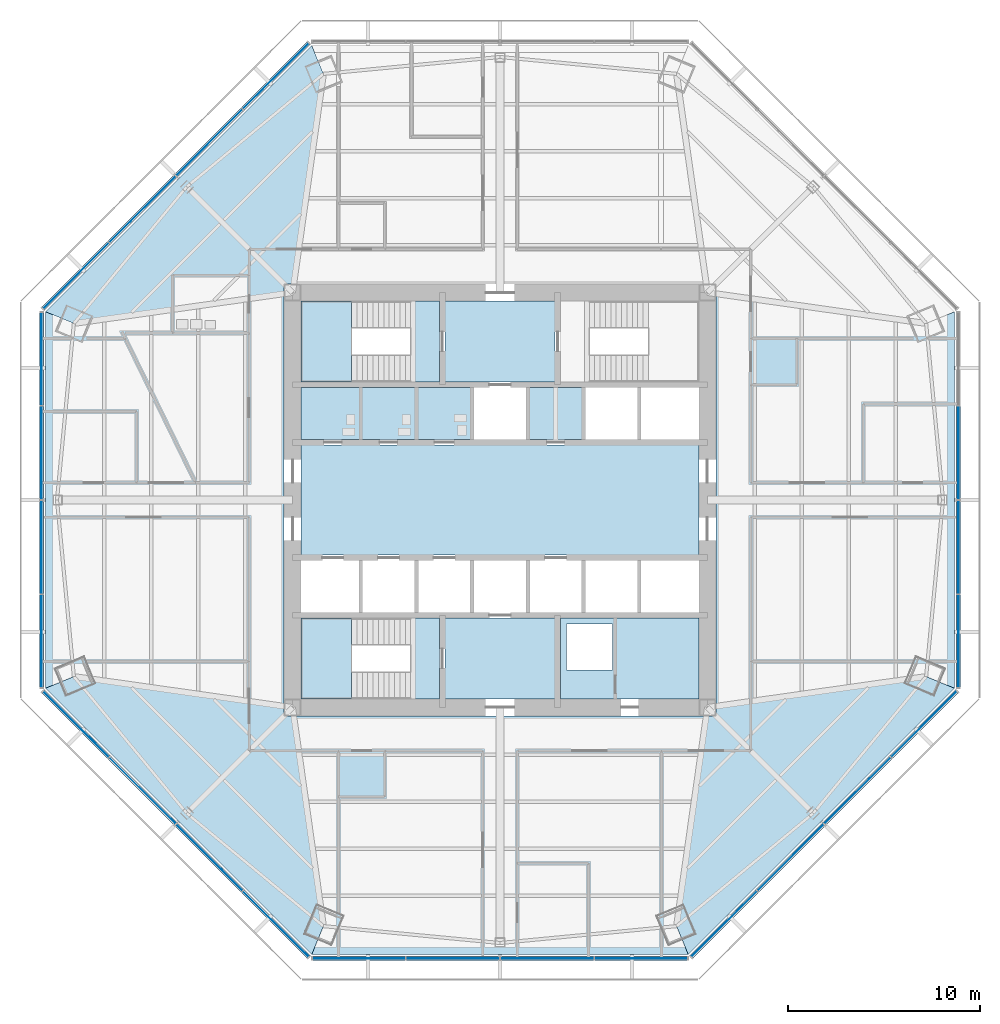
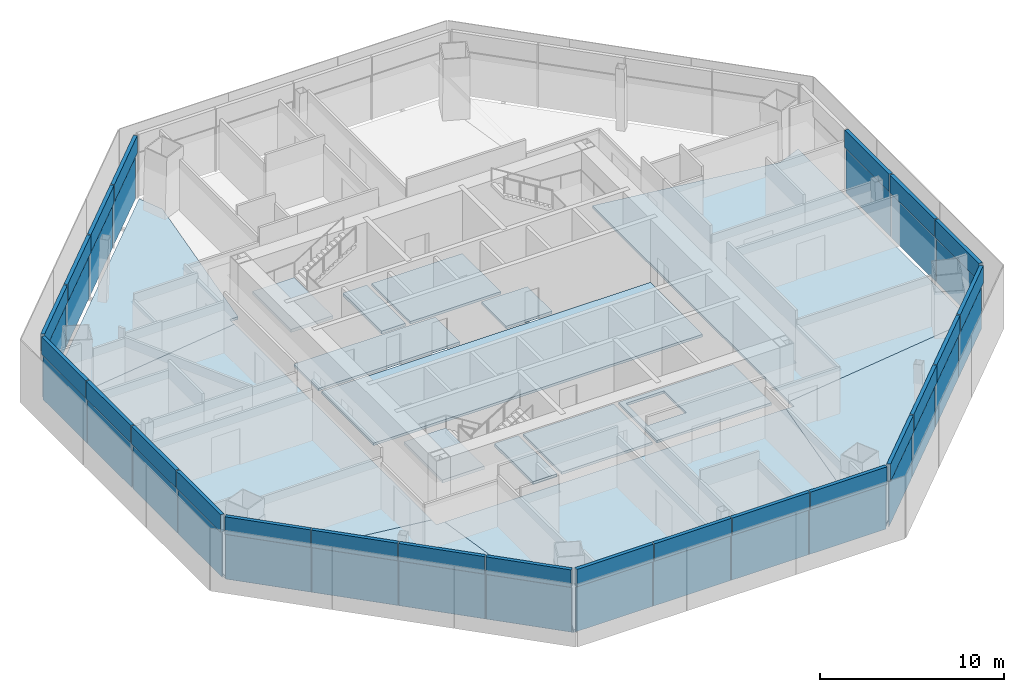
# One storey, part 7 of 14: 46 plates, 16 slabs, 8 elements without a shape of their own.
"""IFC4 building model written with IfcOpenShell, lengths in metres."""

from ifc_helpers import new_model, si_unit, direction, frame, origin, origin_2d, place, context, subcontext, project, spatial, polyline, rectangle, outline, extrude, source, transform, mapped, material, layer, layer_set, type_object, type_shapes, element, aggregate, save


model = new_model("IFC4")

# Units and contexts
model_context = context("Model", 3, precision=1e-05, world=origin(), true_north=direction((0.0, 1.0)))
body_context = subcontext(model_context, "Body", "Model", "MODEL_VIEW")
ifc_project = project(units=[si_unit("LENGTHUNIT", "METRE"), si_unit("AREAUNIT", "SQUARE_METRE"), si_unit("VOLUMEUNIT", "CUBIC_METRE"), si_unit("PLANEANGLEUNIT", "RADIAN"), si_unit("MASSUNIT", "GRAM", prefix="KILO")], contexts=[model_context])

# Site, building, storey
site_placement = place(None, origin())
site = spatial("IfcSite", under=ifc_project, at=site_placement, CompositionType="ELEMENT")
building_placement = place(site_placement, origin())
building = spatial("IfcBuilding", under=site, at=building_placement, Name="Mashrafa Tower", CompositionType="ELEMENT")
storey_placement = place(building_placement, frame((0.0, 0.0, 147.0)))
storey = spatial("IfcBuildingStorey", under=building, at=storey_placement, Name="L33", CompositionType="ELEMENT", Elevation=147.0)

# Slabs
ifc_material_1 = material(Name="Concrete C35/45", Category="concrete")
ifc_layer_1 = layer(ifc_material_1, 0.1650390625)
ifc_layer_set_1 = layer_set([ifc_layer_1], Name="Floor slab 165")
slab_type_1 = type_object("IfcSlabType", Name="Floor slab 165", PredefinedType="FLOOR", material=ifc_layer_set_1)
slab_1_placement = place(storey_placement, frame((0.0, 0.0, -0.1650390625)))
element("IfcSlab", 1, at=slab_1_placement, inside=storey, type_object=slab_type_1, Name="Floor slab L33 east bay", PredefinedType="FLOOR", context=body_context, shape_type="SweptSolid", body=[
    extrude(outline(polyline([(23.65625, -9.798828125), (22.182861328125, -9.1884765625), (11.25, -10.736328125), (11.25, 10.736328125), (22.182861328125, 9.1884765625), (23.65625, 9.798828125), (23.65625, -9.798828125)])), origin(), (0.0, 0.0, 1.0), 0.1650390625),
])
slab_2_placement = place(storey_placement, frame((0.0, 0.0, -0.1650390625)))
element("IfcSlab", 2, at=slab_2_placement, inside=storey, type_object=slab_type_1, Name="Floor slab L33 north-west bay", PredefinedType="FLOOR", context=body_context, shape_type="SweptSolid", body=[
    extrude(outline(polyline([(-23.65625, 9.798828125), (-9.798828125, 23.65625), (-9.798828125, 23.65625), (-9.1884765625, 22.182861328125), (-10.736328125, 11.25), (-11.25, 11.25), (-11.25, 10.736328125), (-22.182861328125, 9.1884765625), (-23.65625, 9.798828125), (-23.65625, 9.798828125)])), origin(), (0.0, 0.0, 1.0), 0.1650390625),
])
slab_3_placement = place(storey_placement, frame((0.0, 0.0, -0.1650390625)))
element("IfcSlab", 3, at=slab_3_placement, inside=storey, type_object=slab_type_1, Name="Floor slab L33 west bay", PredefinedType="FLOOR", context=body_context, shape_type="SweptSolid", body=[
    extrude(outline(polyline([(-23.65625, 9.798828125), (-22.182861328125, 9.1884765625), (-11.25, 10.736328125), (-11.25, -10.736328125), (-22.182861328125, -9.1884765625), (-23.65625, -9.798828125), (-23.65625, 9.798828125)])), origin(), (0.0, 0.0, 1.0), 0.1650390625),
])
slab_4_placement = place(storey_placement, frame((0.0, 0.0, -0.1650390625)))
element("IfcSlab", 4, at=slab_4_placement, inside=storey, type_object=slab_type_1, Name="Floor slab L33 south-west bay", PredefinedType="FLOOR", context=body_context, shape_type="SweptSolid", body=[
    extrude(outline(polyline([(-9.798828125, -23.65625), (-23.65625, -9.798828125), (-23.65625, -9.798828125), (-22.182861328125, -9.1884765625), (-11.25, -10.736328125), (-11.25, -11.25), (-10.736328125, -11.25), (-9.1884765625, -22.182861328125), (-9.798828125, -23.65625), (-9.798828125, -23.65625)])), origin(), (0.0, 0.0, 1.0), 0.1650390625),
])
slab_5_placement = place(storey_placement, frame((0.0, 0.0, -0.1650390625)))
element("IfcSlab", 5, at=slab_5_placement, inside=storey, type_object=slab_type_1, Name="Floor slab L33 south bay", PredefinedType="FLOOR", context=body_context, shape_type="SweptSolid", body=[
    extrude(outline(polyline([(-9.798828125, -23.65625), (-9.1884765625, -22.182861328125), (-10.736328125, -11.25), (10.736328125, -11.25), (9.1884765625, -22.182861328125), (9.798828125, -23.65625), (-9.798828125, -23.65625)])), origin(), (0.0, 0.0, 1.0), 0.1650390625),
])
slab_6_placement = place(storey_placement, frame((0.0, 0.0, -0.1650390625)))
element("IfcSlab", 6, at=slab_6_placement, inside=storey, type_object=slab_type_1, Name="Floor slab L33 south-east bay", PredefinedType="FLOOR", context=body_context, shape_type="SweptSolid", body=[
    extrude(outline(polyline([(9.798828125, -23.65625), (9.1884765625, -22.182861328125), (10.736328125, -11.25), (11.25, -11.25), (11.25, -10.736328125), (22.182861328125, -9.1884765625), (23.65625, -9.798828125), (23.65625, -9.798828125), (9.798828125, -23.65625), (9.798828125, -23.65625)])), origin(), (0.0, 0.0, 1.0), 0.1650390625),
])
slab_7_placement = place(storey_placement, frame((0.0, 0.0, -0.1650390625)))
element("IfcSlab", 7, at=slab_7_placement, inside=storey, type_object=slab_type_1, Name="Core floor lift hall L33", PredefinedType="FLOOR", context=body_context, shape_type="SweptSolid", body=[
    extrude(outline(polyline([(-10.35009765625, 2.85009765625), (10.35009765625, 2.85009765625), (10.35009765625, -2.85009765625), (-10.35009765625, -2.85009765625), (-10.35009765625, 2.85009765625)])), origin(), (0.0, 0.0, 1.0), 0.1650390625),
])
slab_8_placement = place(storey_placement, frame((0.0, 0.0, -0.1650390625)))
element("IfcSlab", 8, at=slab_8_placement, inside=storey, type_object=slab_type_1, Name="Core floor riser and electrical band L33", PredefinedType="FLOOR", context=body_context, shape_type="SweptSolid", body=[
    extrude(outline(polyline([(10.35009765625, -6.14990234375), (10.35009765625, -10.35009765625), (3.14990234375, -10.35009765625), (3.14990234375, -6.14990234375), (10.35009765625, -6.14990234375)]), holes=[polyline([(3.449951171875, -8.85009765625), (5.85009765625, -8.85009765625), (5.85009765625, -6.449951171875), (3.449951171875, -6.449951171875), (3.449951171875, -8.85009765625)])]), origin(), (0.0, 0.0, 1.0), 0.1650390625),
])
slab_9_placement = place(storey_placement, frame((0.0, 0.0, -0.1650390625)))
element("IfcSlab", 9, at=slab_9_placement, inside=storey, type_object=slab_type_1, Name="Core floor lift cell L33", PredefinedType="FLOOR", context=body_context, shape_type="SweptSolid", body=[
    extrude(outline(polyline([(-1.449951171875, 3.14990234375), (-10.35009765625, 3.14990234375), (-10.35009765625, 5.85009765625), (-1.449951171875, 5.85009765625), (-1.449951171875, 3.14990234375)])), origin(), (0.0, 0.0, 1.0), 0.1650390625),
])
slab_10_placement = place(storey_placement, frame((0.0, 0.0, -0.1650390625)))
element("IfcSlab", 10, at=slab_10_placement, inside=storey, type_object=slab_type_1, Name="Core floor fire-fighting lobby north L33", PredefinedType="FLOOR", context=body_context, shape_type="SweptSolid", body=[
    extrude(outline(polyline([(-2.85009765625, 10.35009765625), (2.85009765625, 10.35009765625), (2.85009765625, 6.14990234375), (-2.85009765625, 6.14990234375), (-2.85009765625, 10.35009765625)])), origin(), (0.0, 0.0, 1.0), 0.1650390625),
])
slab_11_placement = place(storey_placement, frame((0.0, 0.0, -0.1650390625)))
element("IfcSlab", 11, at=slab_11_placement, inside=storey, type_object=slab_type_1, Name="Core floor fire-fighting lobby south L33", PredefinedType="FLOOR", context=body_context, shape_type="SweptSolid", body=[
    extrude(outline(polyline([(2.85009765625, -6.14990234375), (2.85009765625, -10.35009765625), (-2.85009765625, -10.35009765625), (-2.85009765625, -6.14990234375), (2.85009765625, -6.14990234375)])), origin(), (0.0, 0.0, 1.0), 0.1650390625),
])
slab_12_placement = place(storey_placement, frame((0.0, 0.0, -0.1650390625)))
element("IfcSlab", 12, at=slab_12_placement, inside=storey, type_object=slab_type_1, Name="Core floor lift cell L33", PredefinedType="FLOOR", context=body_context, shape_type="SweptSolid", body=[
    extrude(outline(polyline([(4.35009765625, 5.85009765625), (4.35009765625, 3.14990234375), (1.449951171875, 3.14990234375), (1.449951171875, 5.85009765625), (4.35009765625, 5.85009765625)])), origin(), (0.0, 0.0, 1.0), 0.1650390625),
])

# Stair, slabs
ifc_material_2 = material(Name="Exit stair 1400")
stair_type = type_object("IfcStairType", Name="Exit stair 1400", PredefinedType="HALF_TURN_STAIR", material=ifc_material_2)
stair_1_placement = place(storey_placement, origin())
stair_1 = element("IfcStair", 13, at=stair_1_placement, inside=storey, type_object=stair_type, Name="Stair S1 L33", PredefinedType="HALF_TURN_STAIR")
ifc_material_3 = material(Name="Concrete C32/40", Category="concrete")
ifc_layer_2 = layer(ifc_material_3, 0.199951171875)
ifc_layer_set_2 = layer_set([ifc_layer_2], Name="Stair landing 200")
slab_type_2 = type_object("IfcSlabType", Name="Stair landing 200", PredefinedType="LANDING", material=ifc_layer_set_2)
slab_13_placement = place(storey_placement, frame((0.0, 0.0, -0.199951171875)))
slab_13 = element("IfcSlab", 14, at=slab_13_placement, type_object=slab_type_2, Name="S1 landing 1", PredefinedType="LANDING", context=body_context, shape_type="SweptSolid", body=[
    extrude(outline(polyline([(-4.659912109375, 6.14990234375), (-3.14990234375, 6.14990234375), (-3.14990234375, 10.35009765625), (-4.659912109375, 10.35009765625), (-4.659912109375, 6.14990234375)])), origin(), (0.0, 0.0, 1.0), 0.199951171875),
])
slab_14_placement = place(storey_placement, frame((0.0, 0.0, 1.89990234375)))
slab_14 = element("IfcSlab", 15, at=slab_14_placement, type_object=slab_type_2, Name="S1 landing 2", PredefinedType="LANDING", context=body_context, shape_type="SweptSolid", body=[
    extrude(outline(polyline([(-10.35009765625, 6.14990234375), (-7.719970703125, 6.14990234375), (-7.719970703125, 10.35009765625), (-10.35009765625, 10.35009765625), (-10.35009765625, 6.14990234375)])), origin(), (0.0, 0.0, 1.0), 0.2001953125),
])
aggregate(stair_1, [slab_13, slab_14])

stair_2_placement = place(storey_placement, origin())
stair_2 = element("IfcStair", 16, at=stair_2_placement, inside=storey, type_object=stair_type, Name="Stair S3 L33", PredefinedType="HALF_TURN_STAIR")
slab_15_placement = place(storey_placement, frame((0.0, 0.0, -0.199951171875)))
slab_15 = element("IfcSlab", 17, at=slab_15_placement, type_object=slab_type_2, Name="S3 landing 1", PredefinedType="LANDING", context=body_context, shape_type="SweptSolid", body=[
    extrude(outline(polyline([(-4.659912109375, -10.35009765625), (-3.14990234375, -10.35009765625), (-3.14990234375, -6.14990234375), (-4.659912109375, -6.14990234375), (-4.659912109375, -10.35009765625)])), origin(), (0.0, 0.0, 1.0), 0.199951171875),
])
slab_16_placement = place(storey_placement, frame((0.0, 0.0, 1.89990234375)))
slab_16 = element("IfcSlab", 18, at=slab_16_placement, type_object=slab_type_2, Name="S3 landing 2", PredefinedType="LANDING", context=body_context, shape_type="SweptSolid", body=[
    extrude(outline(polyline([(-10.35009765625, -10.35009765625), (-7.719970703125, -10.35009765625), (-7.719970703125, -6.14990234375), (-10.35009765625, -6.14990234375), (-10.35009765625, -10.35009765625)])), origin(), (0.0, 0.0, 1.0), 0.2001953125),
])
aggregate(stair_2, [slab_15, slab_16])

# Curtain wall, plate
ifc_material_4 = material(Name="Unitised aluminium curtain wall", Category="aluminium")
curtain_wall_type = type_object("IfcCurtainWallType", Name="Office curtain wall, zone 2 CW-B 225 deep", PredefinedType="NOTDEFINED", material=ifc_material_4)
curtain_wall_1_placement = place(storey_placement, origin())
curtain_wall_1 = element("IfcCurtainWall", 19, at=curtain_wall_1_placement, inside=storey, type_object=curtain_wall_type, Name="Office curtain wall, zone 2 L33 east", PredefinedType="NOTDEFINED")
ifc_material_5 = material(Name="Insulated double glazing, low-e, neutral", Category="glass")
ifc_layer_3 = layer(ifc_material_5, 0.028076171875)
ifc_layer_set_3 = layer_set([ifc_layer_3], Name="Vision panel CW-B 28")
plate_type_1 = type_object("IfcPlateType", Name="Vision panel CW-B 28", PredefinedType="CURTAIN_PANEL", material=ifc_layer_set_3)
shared_shape_1 = source(origin(), body_context, "Body", "SweptSolid", [
    extrude(rectangle(XDim=4.81494140625, YDim=0.028076171875, at=origin_2d()), origin(), (0.0, 0.0, 1.0), 2.9599609375),
])
plate_1_placement = place(storey_placement, frame((23.856201171875, -7.3525390625, 0.0), z_axis=(0.0, 0.0, 1.0), x_axis=(0.0, 1.0, 0.0)))
plate_1 = element("IfcPlate", 20, at=plate_1_placement, type_object=plate_type_1, Name="CW-B vision panel 1", PredefinedType="CURTAIN_PANEL", context=body_context, shape_type="MappedRepresentation", body=[
    mapped(shared_shape_1, transform((0.0, 0.0, 0.0))),
])

# Curtain wall, plates
curtain_wall_2_placement = place(storey_placement, origin())
curtain_wall_2 = element("IfcCurtainWall", 21, at=curtain_wall_2_placement, inside=storey, type_object=curtain_wall_type, Name="Office curtain wall, zone 2 L33 north-west", PredefinedType="NOTDEFINED")
plate_2_placement = place(storey_placement, frame((-11.669921875, 22.06787109375, 0.0), z_axis=(0.0, 0.0, 1.0), x_axis=(-0.707106781187, -0.707106781187, 0.0)))
plate_2 = element("IfcPlate", 22, at=plate_2_placement, type_object=plate_type_1, Name="CW-B vision panel 1", PredefinedType="CURTAIN_PANEL", context=body_context, shape_type="MappedRepresentation", body=[
    mapped(shared_shape_1, transform((0.0, 0.0, 0.0))),
])
plate_3_placement = place(storey_placement, frame((-22.06787109375, 11.669921875, 0.0), z_axis=(0.0, 0.0, 1.0), x_axis=(-0.707106781187, -0.707106781187, 0.0)))
plate_3 = element("IfcPlate", 23, at=plate_3_placement, type_object=plate_type_1, Name="CW-B vision panel 4", PredefinedType="CURTAIN_PANEL", context=body_context, shape_type="MappedRepresentation", body=[
    mapped(shared_shape_1, transform((0.0, 0.0, 0.0))),
])

curtain_wall_3_placement = place(storey_placement, origin())
curtain_wall_3 = element("IfcCurtainWall", 24, at=curtain_wall_3_placement, inside=storey, type_object=curtain_wall_type, Name="Office curtain wall, zone 2 L33 west", PredefinedType="NOTDEFINED")
plate_4_placement = place(storey_placement, frame((-23.856201171875, 7.3525390625, 0.0), z_axis=(0.0, 0.0, 1.0), x_axis=(0.0, -1.0, 0.0)))
plate_4 = element("IfcPlate", 25, at=plate_4_placement, type_object=plate_type_1, Name="CW-B vision panel 1", PredefinedType="CURTAIN_PANEL", context=body_context, shape_type="MappedRepresentation", body=[
    mapped(shared_shape_1, transform((0.0, 0.0, 0.0))),
])
plate_5_placement = place(storey_placement, frame((-23.856201171875, -7.3525390625, 0.0), z_axis=(0.0, 0.0, 1.0), x_axis=(0.0, -1.0, 0.0)))
plate_5 = element("IfcPlate", 26, at=plate_5_placement, type_object=plate_type_1, Name="CW-B vision panel 4", PredefinedType="CURTAIN_PANEL", context=body_context, shape_type="MappedRepresentation", body=[
    mapped(shared_shape_1, transform((0.0, 0.0, 0.0))),
])

curtain_wall_4_placement = place(storey_placement, origin())
curtain_wall_4 = element("IfcCurtainWall", 27, at=curtain_wall_4_placement, inside=storey, type_object=curtain_wall_type, Name="Office curtain wall, zone 2 L33 south-west", PredefinedType="NOTDEFINED")
plate_6_placement = place(storey_placement, frame((-22.06787109375, -11.669921875, 0.0), z_axis=(0.0, 0.0, 1.0), x_axis=(0.707106781187, -0.707106781187, 0.0)))
plate_6 = element("IfcPlate", 28, at=plate_6_placement, type_object=plate_type_1, Name="CW-B vision panel 1", PredefinedType="CURTAIN_PANEL", context=body_context, shape_type="MappedRepresentation", body=[
    mapped(shared_shape_1, transform((0.0, 0.0, 0.0))),
])
plate_7_placement = place(storey_placement, frame((-11.669921875, -22.06787109375, 0.0), z_axis=(0.0, 0.0, 1.0), x_axis=(0.707106781187, -0.707106781187, 0.0)))
plate_7 = element("IfcPlate", 29, at=plate_7_placement, type_object=plate_type_1, Name="CW-B vision panel 4", PredefinedType="CURTAIN_PANEL", context=body_context, shape_type="MappedRepresentation", body=[
    mapped(shared_shape_1, transform((0.0, 0.0, 0.0))),
])

curtain_wall_5_placement = place(storey_placement, origin())
curtain_wall_5 = element("IfcCurtainWall", 30, at=curtain_wall_5_placement, inside=storey, type_object=curtain_wall_type, Name="Office curtain wall, zone 2 L33 south", PredefinedType="NOTDEFINED")
plate_8_placement = place(storey_placement, frame((-7.3525390625, -23.856201171875, 0.0), z_axis=(0.0, 0.0, 1.0), x_axis=(1.0, 0.0, 0.0)))
plate_8 = element("IfcPlate", 31, at=plate_8_placement, type_object=plate_type_1, Name="CW-B vision panel 1", PredefinedType="CURTAIN_PANEL", context=body_context, shape_type="MappedRepresentation", body=[
    mapped(shared_shape_1, transform((0.0, 0.0, 0.0))),
])
plate_9_placement = place(storey_placement, frame((7.3525390625, -23.856201171875, 0.0), z_axis=(0.0, 0.0, 1.0), x_axis=(1.0, 0.0, 0.0)))
plate_9 = element("IfcPlate", 32, at=plate_9_placement, type_object=plate_type_1, Name="CW-B vision panel 4", PredefinedType="CURTAIN_PANEL", context=body_context, shape_type="MappedRepresentation", body=[
    mapped(shared_shape_1, transform((0.0, 0.0, 0.0))),
])

curtain_wall_6_placement = place(storey_placement, origin())
curtain_wall_6 = element("IfcCurtainWall", 33, at=curtain_wall_6_placement, inside=storey, type_object=curtain_wall_type, Name="Office curtain wall, zone 2 L33 south-east", PredefinedType="NOTDEFINED")
plate_10_placement = place(storey_placement, frame((11.669921875, -22.06787109375, 0.0), z_axis=(0.0, 0.0, 1.0), x_axis=(0.707106781187, 0.707106781187, 0.0)))
plate_10 = element("IfcPlate", 34, at=plate_10_placement, type_object=plate_type_1, Name="CW-B vision panel 1", PredefinedType="CURTAIN_PANEL", context=body_context, shape_type="MappedRepresentation", body=[
    mapped(shared_shape_1, transform((0.0, 0.0, 0.0))),
])
plate_11_placement = place(storey_placement, frame((22.06787109375, -11.669921875, 0.0), z_axis=(0.0, 0.0, 1.0), x_axis=(0.707106781187, 0.707106781187, 0.0)))
plate_11 = element("IfcPlate", 35, at=plate_11_placement, type_object=plate_type_1, Name="CW-B vision panel 4", PredefinedType="CURTAIN_PANEL", context=body_context, shape_type="MappedRepresentation", body=[
    mapped(shared_shape_1, transform((0.0, 0.0, 0.0))),
])

# Plate
ifc_material_6 = material(Name="Insulated aluminium spandrel panel", Category="aluminium")
ifc_layer_4 = layer(ifc_material_6, 0.219970703125)
ifc_layer_set_4 = layer_set([ifc_layer_4], Name="Spandrel panel CW-B 220")
plate_type_2 = type_object("IfcPlateType", Name="Spandrel panel CW-B 220", PredefinedType="CURTAIN_PANEL", material=ifc_layer_set_4)
shared_shape_2 = source(origin(), body_context, "Body", "SweptSolid", [
    extrude(rectangle(XDim=4.81494140625, YDim=0.219970703125, at=origin_2d()), origin(), (0.0, 0.0, 1.0), 1.159912109375),
])
plate_12_placement = place(storey_placement, frame((23.856201171875, -7.3525390625, 3.0400390625), z_axis=(0.0, 0.0, 1.0), x_axis=(0.0, 1.0, 0.0)))
plate_12 = element("IfcPlate", 36, at=plate_12_placement, type_object=plate_type_2, Name="CW-B spandrel panel 1", PredefinedType="CURTAIN_PANEL", context=body_context, shape_type="MappedRepresentation", body=[
    mapped(shared_shape_2, transform((0.0, 0.0, 0.0))),
])

plate_13_placement = place(storey_placement, frame((-11.669921875, 22.06787109375, 3.0400390625), z_axis=(0.0, 0.0, 1.0), x_axis=(-0.707106781187, -0.707106781187, 0.0)))
plate_13 = element("IfcPlate", 37, at=plate_13_placement, type_object=plate_type_2, Name="CW-B spandrel panel 1", PredefinedType="CURTAIN_PANEL", context=body_context, shape_type="MappedRepresentation", body=[
    mapped(shared_shape_2, transform((0.0, 0.0, 0.0))),
])

plate_14_placement = place(storey_placement, frame((-22.06787109375, 11.669921875, 3.0400390625), z_axis=(0.0, 0.0, 1.0), x_axis=(-0.707106781187, -0.707106781187, 0.0)))
plate_14 = element("IfcPlate", 38, at=plate_14_placement, type_object=plate_type_2, Name="CW-B spandrel panel 4", PredefinedType="CURTAIN_PANEL", context=body_context, shape_type="MappedRepresentation", body=[
    mapped(shared_shape_2, transform((0.0, 0.0, 0.0))),
])

plate_15_placement = place(storey_placement, frame((-23.856201171875, 7.3525390625, 3.0400390625), z_axis=(0.0, 0.0, 1.0), x_axis=(0.0, -1.0, 0.0)))
plate_15 = element("IfcPlate", 39, at=plate_15_placement, type_object=plate_type_2, Name="CW-B spandrel panel 1", PredefinedType="CURTAIN_PANEL", context=body_context, shape_type="MappedRepresentation", body=[
    mapped(shared_shape_2, transform((0.0, 0.0, 0.0))),
])

plate_16_placement = place(storey_placement, frame((-23.856201171875, -7.3525390625, 3.0400390625), z_axis=(0.0, 0.0, 1.0), x_axis=(0.0, -1.0, 0.0)))
plate_16 = element("IfcPlate", 40, at=plate_16_placement, type_object=plate_type_2, Name="CW-B spandrel panel 4", PredefinedType="CURTAIN_PANEL", context=body_context, shape_type="MappedRepresentation", body=[
    mapped(shared_shape_2, transform((0.0, 0.0, 0.0))),
])

plate_17_placement = place(storey_placement, frame((-22.06787109375, -11.669921875, 3.0400390625), z_axis=(0.0, 0.0, 1.0), x_axis=(0.707106781187, -0.707106781187, 0.0)))
plate_17 = element("IfcPlate", 41, at=plate_17_placement, type_object=plate_type_2, Name="CW-B spandrel panel 1", PredefinedType="CURTAIN_PANEL", context=body_context, shape_type="MappedRepresentation", body=[
    mapped(shared_shape_2, transform((0.0, 0.0, 0.0))),
])

plate_18_placement = place(storey_placement, frame((-11.669921875, -22.06787109375, 3.0400390625), z_axis=(0.0, 0.0, 1.0), x_axis=(0.707106781187, -0.707106781187, 0.0)))
plate_18 = element("IfcPlate", 42, at=plate_18_placement, type_object=plate_type_2, Name="CW-B spandrel panel 4", PredefinedType="CURTAIN_PANEL", context=body_context, shape_type="MappedRepresentation", body=[
    mapped(shared_shape_2, transform((0.0, 0.0, 0.0))),
])

plate_19_placement = place(storey_placement, frame((-7.3525390625, -23.856201171875, 3.0400390625), z_axis=(0.0, 0.0, 1.0), x_axis=(1.0, 0.0, 0.0)))
plate_19 = element("IfcPlate", 43, at=plate_19_placement, type_object=plate_type_2, Name="CW-B spandrel panel 1", PredefinedType="CURTAIN_PANEL", context=body_context, shape_type="MappedRepresentation", body=[
    mapped(shared_shape_2, transform((0.0, 0.0, 0.0))),
])

plate_20_placement = place(storey_placement, frame((7.3525390625, -23.856201171875, 3.0400390625), z_axis=(0.0, 0.0, 1.0), x_axis=(1.0, 0.0, 0.0)))
plate_20 = element("IfcPlate", 44, at=plate_20_placement, type_object=plate_type_2, Name="CW-B spandrel panel 4", PredefinedType="CURTAIN_PANEL", context=body_context, shape_type="MappedRepresentation", body=[
    mapped(shared_shape_2, transform((0.0, 0.0, 0.0))),
])

plate_21_placement = place(storey_placement, frame((11.669921875, -22.06787109375, 3.0400390625), z_axis=(0.0, 0.0, 1.0), x_axis=(0.707106781187, 0.707106781187, 0.0)))
plate_21 = element("IfcPlate", 45, at=plate_21_placement, type_object=plate_type_2, Name="CW-B spandrel panel 1", PredefinedType="CURTAIN_PANEL", context=body_context, shape_type="MappedRepresentation", body=[
    mapped(shared_shape_2, transform((0.0, 0.0, 0.0))),
])

plate_22_placement = place(storey_placement, frame((22.06787109375, -11.669921875, 3.0400390625), z_axis=(0.0, 0.0, 1.0), x_axis=(0.707106781187, 0.707106781187, 0.0)))
plate_22 = element("IfcPlate", 46, at=plate_22_placement, type_object=plate_type_2, Name="CW-B spandrel panel 4", PredefinedType="CURTAIN_PANEL", context=body_context, shape_type="MappedRepresentation", body=[
    mapped(shared_shape_2, transform((0.0, 0.0, 0.0))),
])

shared_shape_3 = source(origin(), body_context, "Body", "SweptSolid", [
    extrude(rectangle(XDim=4.847412109375, YDim=0.028076171875, at=origin_2d()), origin(), (0.0, 0.0, 1.0), 2.9599609375),
])
type_shapes(plate_type_1, [shared_shape_1, shared_shape_3])
plate_23_placement = place(storey_placement, frame((23.856201171875, -2.456298828125, 0.0), z_axis=(0.0, 0.0, 1.0), x_axis=(0.0, 1.0, 0.0)))
plate_23 = element("IfcPlate", 47, at=plate_23_placement, type_object=plate_type_1, Name="CW-B vision panel 2", PredefinedType="CURTAIN_PANEL", context=body_context, shape_type="MappedRepresentation", body=[
    mapped(shared_shape_3, transform((0.0, 0.0, 0.0))),
])

plate_24_placement = place(storey_placement, frame((23.856201171875, 2.456298828125, 0.0), z_axis=(0.0, 0.0, 1.0), x_axis=(0.0, 1.0, 0.0)))
plate_24 = element("IfcPlate", 48, at=plate_24_placement, type_object=plate_type_1, Name="CW-B vision panel 3", PredefinedType="CURTAIN_PANEL", context=body_context, shape_type="MappedRepresentation", body=[
    mapped(shared_shape_3, transform((0.0, 0.0, 0.0))),
])

plate_25_placement = place(storey_placement, frame((-15.132080078125, 18.605712890625, 0.0), z_axis=(0.0, 0.0, 1.0), x_axis=(-0.707106781187, -0.707106781187, 0.0)))
plate_25 = element("IfcPlate", 49, at=plate_25_placement, type_object=plate_type_1, Name="CW-B vision panel 2", PredefinedType="CURTAIN_PANEL", context=body_context, shape_type="MappedRepresentation", body=[
    mapped(shared_shape_3, transform((0.0, 0.0, 0.0))),
])

plate_26_placement = place(storey_placement, frame((-18.605712890625, 15.132080078125, 0.0), z_axis=(0.0, 0.0, 1.0), x_axis=(-0.707106781187, -0.707106781187, 0.0)))
plate_26 = element("IfcPlate", 50, at=plate_26_placement, type_object=plate_type_1, Name="CW-B vision panel 3", PredefinedType="CURTAIN_PANEL", context=body_context, shape_type="MappedRepresentation", body=[
    mapped(shared_shape_3, transform((0.0, 0.0, 0.0))),
])

plate_27_placement = place(storey_placement, frame((-23.856201171875, 2.456298828125, 0.0), z_axis=(0.0, 0.0, 1.0), x_axis=(0.0, -1.0, 0.0)))
plate_27 = element("IfcPlate", 51, at=plate_27_placement, type_object=plate_type_1, Name="CW-B vision panel 2", PredefinedType="CURTAIN_PANEL", context=body_context, shape_type="MappedRepresentation", body=[
    mapped(shared_shape_3, transform((0.0, 0.0, 0.0))),
])

plate_28_placement = place(storey_placement, frame((-23.856201171875, -2.456298828125, 0.0), z_axis=(0.0, 0.0, 1.0), x_axis=(0.0, -1.0, 0.0)))
plate_28 = element("IfcPlate", 52, at=plate_28_placement, type_object=plate_type_1, Name="CW-B vision panel 3", PredefinedType="CURTAIN_PANEL", context=body_context, shape_type="MappedRepresentation", body=[
    mapped(shared_shape_3, transform((0.0, 0.0, 0.0))),
])

plate_29_placement = place(storey_placement, frame((-18.605712890625, -15.132080078125, 0.0), z_axis=(0.0, 0.0, 1.0), x_axis=(0.707106781187, -0.707106781187, 0.0)))
plate_29 = element("IfcPlate", 53, at=plate_29_placement, type_object=plate_type_1, Name="CW-B vision panel 2", PredefinedType="CURTAIN_PANEL", context=body_context, shape_type="MappedRepresentation", body=[
    mapped(shared_shape_3, transform((0.0, 0.0, 0.0))),
])

plate_30_placement = place(storey_placement, frame((-15.132080078125, -18.605712890625, 0.0), z_axis=(0.0, 0.0, 1.0), x_axis=(0.707106781187, -0.707106781187, 0.0)))
plate_30 = element("IfcPlate", 54, at=plate_30_placement, type_object=plate_type_1, Name="CW-B vision panel 3", PredefinedType="CURTAIN_PANEL", context=body_context, shape_type="MappedRepresentation", body=[
    mapped(shared_shape_3, transform((0.0, 0.0, 0.0))),
])

plate_31_placement = place(storey_placement, frame((-2.456298828125, -23.856201171875, 0.0), z_axis=(0.0, 0.0, 1.0), x_axis=(1.0, 0.0, 0.0)))
plate_31 = element("IfcPlate", 55, at=plate_31_placement, type_object=plate_type_1, Name="CW-B vision panel 2", PredefinedType="CURTAIN_PANEL", context=body_context, shape_type="MappedRepresentation", body=[
    mapped(shared_shape_3, transform((0.0, 0.0, 0.0))),
])

plate_32_placement = place(storey_placement, frame((2.456298828125, -23.856201171875, 0.0), z_axis=(0.0, 0.0, 1.0), x_axis=(1.0, 0.0, 0.0)))
plate_32 = element("IfcPlate", 56, at=plate_32_placement, type_object=plate_type_1, Name="CW-B vision panel 3", PredefinedType="CURTAIN_PANEL", context=body_context, shape_type="MappedRepresentation", body=[
    mapped(shared_shape_3, transform((0.0, 0.0, 0.0))),
])

plate_33_placement = place(storey_placement, frame((15.132080078125, -18.605712890625, 0.0), z_axis=(0.0, 0.0, 1.0), x_axis=(0.707106781187, 0.707106781187, 0.0)))
plate_33 = element("IfcPlate", 57, at=plate_33_placement, type_object=plate_type_1, Name="CW-B vision panel 2", PredefinedType="CURTAIN_PANEL", context=body_context, shape_type="MappedRepresentation", body=[
    mapped(shared_shape_3, transform((0.0, 0.0, 0.0))),
])

plate_34_placement = place(storey_placement, frame((18.605712890625, -15.132080078125, 0.0), z_axis=(0.0, 0.0, 1.0), x_axis=(0.707106781187, 0.707106781187, 0.0)))
plate_34 = element("IfcPlate", 58, at=plate_34_placement, type_object=plate_type_1, Name="CW-B vision panel 3", PredefinedType="CURTAIN_PANEL", context=body_context, shape_type="MappedRepresentation", body=[
    mapped(shared_shape_3, transform((0.0, 0.0, 0.0))),
])

shared_shape_4 = source(origin(), body_context, "Body", "SweptSolid", [
    extrude(rectangle(XDim=4.847412109375, YDim=0.219970703125, at=origin_2d()), origin(), (0.0, 0.0, 1.0), 1.159912109375),
])
type_shapes(plate_type_2, [shared_shape_2, shared_shape_4])
plate_35_placement = place(storey_placement, frame((23.856201171875, -2.456298828125, 3.0400390625), z_axis=(0.0, 0.0, 1.0), x_axis=(0.0, 1.0, 0.0)))
plate_35 = element("IfcPlate", 59, at=plate_35_placement, type_object=plate_type_2, Name="CW-B spandrel panel 2", PredefinedType="CURTAIN_PANEL", context=body_context, shape_type="MappedRepresentation", body=[
    mapped(shared_shape_4, transform((0.0, 0.0, 0.0))),
])

plate_36_placement = place(storey_placement, frame((23.856201171875, 2.456298828125, 3.0400390625), z_axis=(0.0, 0.0, 1.0), x_axis=(0.0, 1.0, 0.0)))
plate_36 = element("IfcPlate", 60, at=plate_36_placement, type_object=plate_type_2, Name="CW-B spandrel panel 3", PredefinedType="CURTAIN_PANEL", context=body_context, shape_type="MappedRepresentation", body=[
    mapped(shared_shape_4, transform((0.0, 0.0, 0.0))),
])

aggregate(curtain_wall_1, [plate_1, plate_12, plate_23, plate_35, plate_24, plate_36])

plate_37_placement = place(storey_placement, frame((-15.132080078125, 18.605712890625, 3.0400390625), z_axis=(0.0, 0.0, 1.0), x_axis=(-0.707106781187, -0.707106781187, 0.0)))
plate_37 = element("IfcPlate", 61, at=plate_37_placement, type_object=plate_type_2, Name="CW-B spandrel panel 2", PredefinedType="CURTAIN_PANEL", context=body_context, shape_type="MappedRepresentation", body=[
    mapped(shared_shape_4, transform((0.0, 0.0, 0.0))),
])

plate_38_placement = place(storey_placement, frame((-18.605712890625, 15.132080078125, 3.0400390625), z_axis=(0.0, 0.0, 1.0), x_axis=(-0.707106781187, -0.707106781187, 0.0)))
plate_38 = element("IfcPlate", 62, at=plate_38_placement, type_object=plate_type_2, Name="CW-B spandrel panel 3", PredefinedType="CURTAIN_PANEL", context=body_context, shape_type="MappedRepresentation", body=[
    mapped(shared_shape_4, transform((0.0, 0.0, 0.0))),
])

aggregate(curtain_wall_2, [plate_2, plate_13, plate_25, plate_37, plate_26, plate_38, plate_3, plate_14])

plate_39_placement = place(storey_placement, frame((-23.856201171875, 2.456298828125, 3.0400390625), z_axis=(0.0, 0.0, 1.0), x_axis=(0.0, -1.0, 0.0)))
plate_39 = element("IfcPlate", 63, at=plate_39_placement, type_object=plate_type_2, Name="CW-B spandrel panel 2", PredefinedType="CURTAIN_PANEL", context=body_context, shape_type="MappedRepresentation", body=[
    mapped(shared_shape_4, transform((0.0, 0.0, 0.0))),
])

plate_40_placement = place(storey_placement, frame((-23.856201171875, -2.456298828125, 3.0400390625), z_axis=(0.0, 0.0, 1.0), x_axis=(0.0, -1.0, 0.0)))
plate_40 = element("IfcPlate", 64, at=plate_40_placement, type_object=plate_type_2, Name="CW-B spandrel panel 3", PredefinedType="CURTAIN_PANEL", context=body_context, shape_type="MappedRepresentation", body=[
    mapped(shared_shape_4, transform((0.0, 0.0, 0.0))),
])

aggregate(curtain_wall_3, [plate_4, plate_15, plate_27, plate_39, plate_28, plate_40, plate_5, plate_16])

plate_41_placement = place(storey_placement, frame((-18.605712890625, -15.132080078125, 3.0400390625), z_axis=(0.0, 0.0, 1.0), x_axis=(0.707106781187, -0.707106781187, 0.0)))
plate_41 = element("IfcPlate", 65, at=plate_41_placement, type_object=plate_type_2, Name="CW-B spandrel panel 2", PredefinedType="CURTAIN_PANEL", context=body_context, shape_type="MappedRepresentation", body=[
    mapped(shared_shape_4, transform((0.0, 0.0, 0.0))),
])

plate_42_placement = place(storey_placement, frame((-15.132080078125, -18.605712890625, 3.0400390625), z_axis=(0.0, 0.0, 1.0), x_axis=(0.707106781187, -0.707106781187, 0.0)))
plate_42 = element("IfcPlate", 66, at=plate_42_placement, type_object=plate_type_2, Name="CW-B spandrel panel 3", PredefinedType="CURTAIN_PANEL", context=body_context, shape_type="MappedRepresentation", body=[
    mapped(shared_shape_4, transform((0.0, 0.0, 0.0))),
])

aggregate(curtain_wall_4, [plate_6, plate_17, plate_29, plate_41, plate_30, plate_42, plate_7, plate_18])

plate_43_placement = place(storey_placement, frame((-2.456298828125, -23.856201171875, 3.0400390625), z_axis=(0.0, 0.0, 1.0), x_axis=(1.0, 0.0, 0.0)))
plate_43 = element("IfcPlate", 67, at=plate_43_placement, type_object=plate_type_2, Name="CW-B spandrel panel 2", PredefinedType="CURTAIN_PANEL", context=body_context, shape_type="MappedRepresentation", body=[
    mapped(shared_shape_4, transform((0.0, 0.0, 0.0))),
])

plate_44_placement = place(storey_placement, frame((2.456298828125, -23.856201171875, 3.0400390625), z_axis=(0.0, 0.0, 1.0), x_axis=(1.0, 0.0, 0.0)))
plate_44 = element("IfcPlate", 68, at=plate_44_placement, type_object=plate_type_2, Name="CW-B spandrel panel 3", PredefinedType="CURTAIN_PANEL", context=body_context, shape_type="MappedRepresentation", body=[
    mapped(shared_shape_4, transform((0.0, 0.0, 0.0))),
])

aggregate(curtain_wall_5, [plate_8, plate_19, plate_31, plate_43, plate_32, plate_44, plate_9, plate_20])

plate_45_placement = place(storey_placement, frame((15.132080078125, -18.605712890625, 3.0400390625), z_axis=(0.0, 0.0, 1.0), x_axis=(0.707106781187, 0.707106781187, 0.0)))
plate_45 = element("IfcPlate", 69, at=plate_45_placement, type_object=plate_type_2, Name="CW-B spandrel panel 2", PredefinedType="CURTAIN_PANEL", context=body_context, shape_type="MappedRepresentation", body=[
    mapped(shared_shape_4, transform((0.0, 0.0, 0.0))),
])

plate_46_placement = place(storey_placement, frame((18.605712890625, -15.132080078125, 3.0400390625), z_axis=(0.0, 0.0, 1.0), x_axis=(0.707106781187, 0.707106781187, 0.0)))
plate_46 = element("IfcPlate", 70, at=plate_46_placement, type_object=plate_type_2, Name="CW-B spandrel panel 3", PredefinedType="CURTAIN_PANEL", context=body_context, shape_type="MappedRepresentation", body=[
    mapped(shared_shape_4, transform((0.0, 0.0, 0.0))),
])

aggregate(curtain_wall_6, [plate_10, plate_21, plate_33, plate_45, plate_34, plate_46, plate_11, plate_22])

save(model, "model.ifc")
